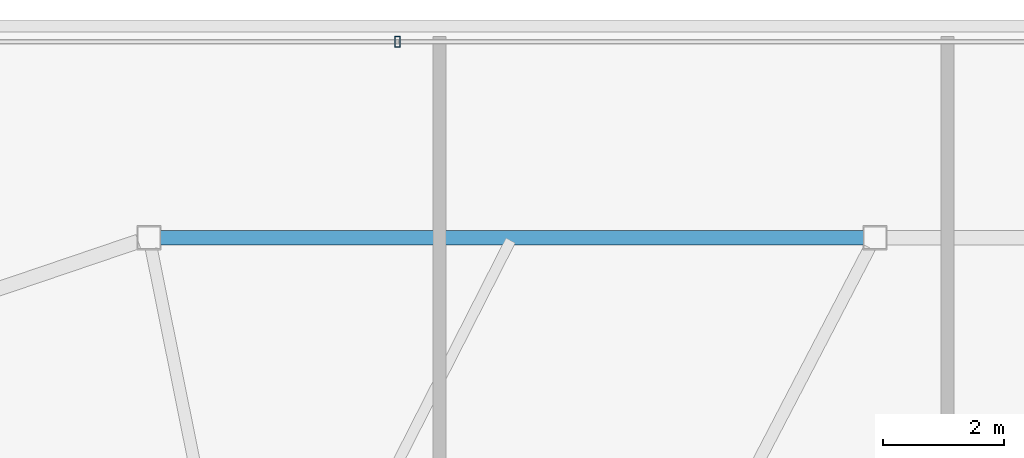
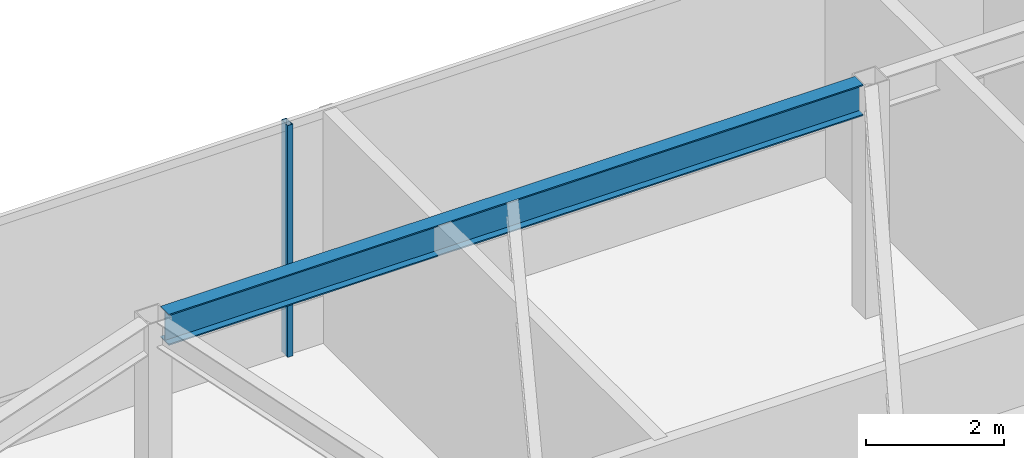
# One storey, part 14 of 22: 1 beam, 1 member, 1 element without a shape of its own.
"""IFC4 building model written with IfcOpenShell, lengths in metres."""

from ifc_helpers import new_model, si_unit, direction, frame, origin, origin_2d, place, context, subcontext, project, spatial, hollow_rectangle, i_section, extrude, material, layer, layer_set, material_profile, profile_set, type_object, element, aggregate, save


model = new_model("IFC4")

# Units and contexts
model_context = context("Model", 3, precision=1e-05, world=origin(), true_north=direction((0.0, 1.0)))
body_context = subcontext(model_context, "Body", "Model", "MODEL_VIEW")
ifc_project = project(units=[si_unit("LENGTHUNIT", "METRE"), si_unit("AREAUNIT", "SQUARE_METRE"), si_unit("VOLUMEUNIT", "CUBIC_METRE"), si_unit("PLANEANGLEUNIT", "RADIAN"), si_unit("MASSUNIT", "GRAM", prefix="KILO")], contexts=[model_context])

# Site, building, storey
site_placement = place(None, origin())
site = spatial("IfcSite", under=ifc_project, at=site_placement, CompositionType="ELEMENT")
building_placement = place(site_placement, origin())
building = spatial("IfcBuilding", under=site, at=building_placement, Name="Tavrogorsk Clinical Tower", CompositionType="ELEMENT")
storey_placement = place(building_placement, frame((0.0, 0.0, 339.800048828125)))
storey = spatial("IfcBuildingStorey", under=building, at=storey_placement, Name="L79", CompositionType="ELEMENT", Elevation=339.800048828125)

# Curtain wall, member
ifc_material_1 = material(Name="Anodised aluminium and triple IGU glazing", Category="aluminium")
ifc_layer = layer(ifc_material_1, 0.179931640625)
ifc_layer_set = layer_set([ifc_layer], Name="Anodised aluminium and triple IGU glazing")
curtain_wall_type = type_object("IfcCurtainWallType", Name="CW6_TmdLantern", PredefinedType="NOTDEFINED", material=ifc_layer_set)
curtain_wall_placement = place(storey_placement, origin())
curtain_wall = element("IfcCurtainWall", 1, at=curtain_wall_placement, inside=storey, type_object=curtain_wall_type, Name="L79 Curtain Wall CW-L79-DRUM-4", PredefinedType="NOTDEFINED")
ifc_material_2 = material(Name="Anodised aluminium alloy AW-6060", Category="aluminium")
ifc_material_profile_1 = material_profile(ifc_material_2, hollow_rectangle(XDim=0.090087890625, YDim=0.179931640625, WallThickness=0.00634765625, at=origin_2d()), Name="RHS-180x90x6.3")
ifc_profile_set_1 = profile_set([ifc_material_profile_1], Name="Anodised aluminium alloy AW-6060")
member_type = type_object("IfcMemberType", Name="CwMullion_180x90", PredefinedType="MULLION", material=ifc_profile_set_1)
member_placement = place(storey_placement, frame((-7.891357421875, 18.0400390625, 0.0), z_axis=(0.0, 0.0, 1.0), x_axis=(1.0, 0.0, 0.0)))
member = element("IfcMember", 2, at=member_placement, type_object=member_type, Name="CW-L79-DRUM-4 Mullion 2", PredefinedType="MULLION", context=body_context, shape_type="SweptSolid", body=[
    extrude(hollow_rectangle(XDim=0.090087890625, YDim=0.179931640625, WallThickness=0.00634765625, at=origin_2d()), origin(), (0.0, 0.0, 1.0), 4.099853515625),
])
aggregate(curtain_wall, [member])

# Beam
ifc_material_3 = material(Name="Structural steel S390", Category="steel")
ifc_material_profile_2 = material_profile(ifc_material_3, i_section(OverallWidth=0.239990234375, OverallDepth=0.550048828125, WebThickness=0.013916015625, FlangeThickness=0.02197265625, at=origin_2d()), Name="B-550x240x14x22")
ifc_profile_set_2 = profile_set([ifc_material_profile_2], Name="Structural steel S390")
beam_type = type_object("IfcBeamType", Name="SpandrelBeam_B550", PredefinedType="SPANDREL", material=ifc_profile_set_2)
beam_placement = place(storey_placement, frame((-0.18994140625, 14.800048828125, 3.824951171875), z_axis=(-1.0, 0.0, 0.0), x_axis=(0.0, -1.0, 0.0)))
element("IfcBeam", 3, at=beam_placement, inside=storey, type_object=beam_type, Name="L79 Crown Spandrel Beam 07", PredefinedType="SPANDREL", context=body_context, shape_type="SweptSolid", body=[
    extrude(i_section(OverallWidth=0.239990234375, OverallDepth=0.550048828125, WebThickness=0.013916015625, FlangeThickness=0.02197265625, at=origin_2d()), origin(), (0.0, 0.0, 1.0), 11.6201171875),
])

save(model, "model.ifc")
